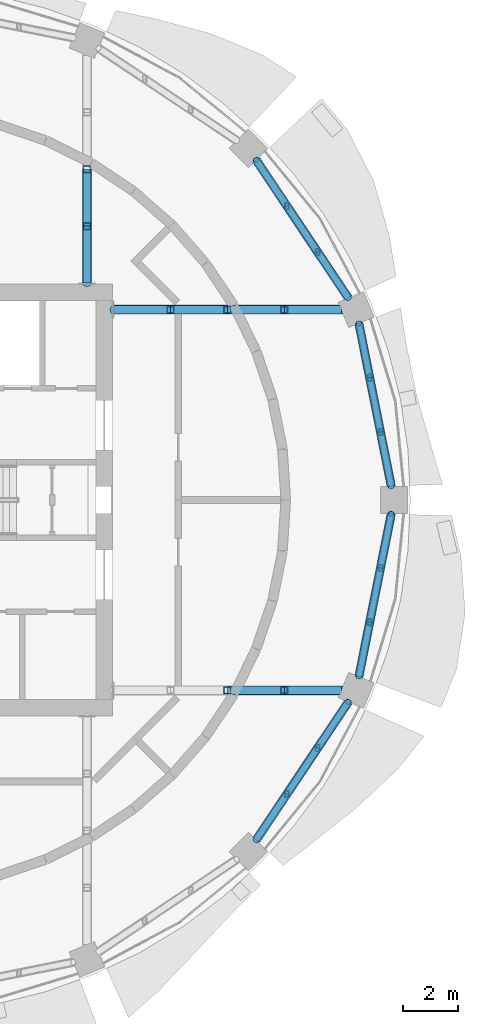
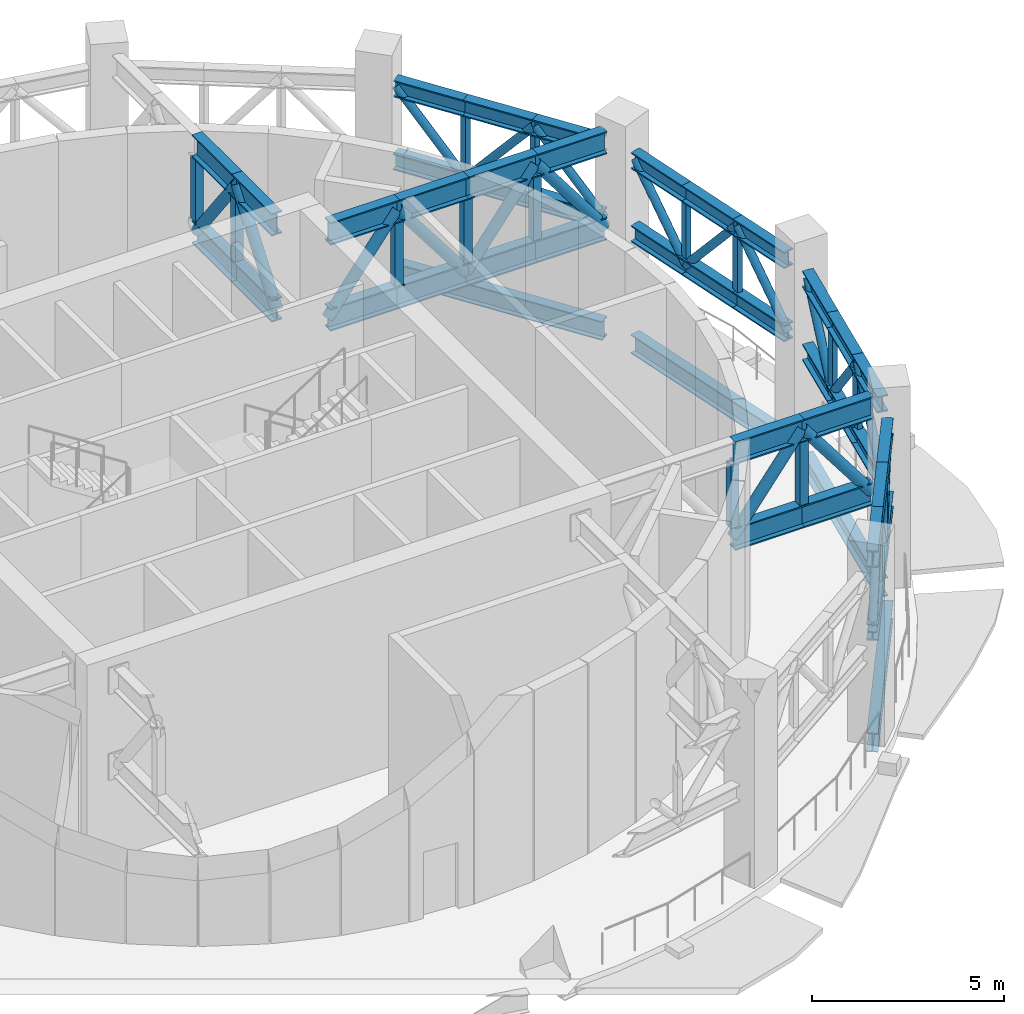
# One storey, part 5 of 14: 75 members, 4 beams.
"""IFC4 building model written with IfcOpenShell, lengths in metres."""

from ifc_helpers import new_model, si_unit, direction, frame, origin, origin_2d, place, context, subcontext, project, spatial, hollow_rectangle, hollow_circle, i_section, extrude, material, material_profile, profile_set, type_object, element, save


model = new_model("IFC4")

# Units and contexts
model_context = context("Model", 3, precision=1e-05, world=origin(), true_north=direction((0.0, 1.0)))
body_context = subcontext(model_context, "Body", "Model", "MODEL_VIEW")
ifc_project = project(units=[si_unit("LENGTHUNIT", "METRE"), si_unit("AREAUNIT", "SQUARE_METRE"), si_unit("VOLUMEUNIT", "CUBIC_METRE"), si_unit("PLANEANGLEUNIT", "RADIAN"), si_unit("MASSUNIT", "GRAM", prefix="KILO")], contexts=[model_context])

# Site, building, storey
site_placement = place(None, origin())
site = spatial("IfcSite", under=ifc_project, at=site_placement, CompositionType="ELEMENT")
building_placement = place(site_placement, origin())
building = spatial("IfcBuilding", under=site, at=building_placement, Name="Polderwave Tower", CompositionType="ELEMENT")
storey_placement = place(building_placement, frame((0.0, 0.0, 161.14990234375)))
storey = spatial("IfcBuildingStorey", under=building, at=storey_placement, Name="L43", CompositionType="ELEMENT", Elevation=161.14990234375)

# Members
ifc_material_1 = material(Name="Steel S460", Category="steel")
ifc_material_profile_1 = material_profile(ifc_material_1, i_section(OverallWidth=0.305908203125, OverallDepth=0.52392578125, WebThickness=0.02099609375, FlangeThickness=0.0400390625, at=origin_2d()), Name="HE 500 M")
ifc_profile_set_1 = profile_set([ifc_material_profile_1], Name="Steel S460")
member_type_1 = type_object("IfcMemberType", Name="BELT CHORD HE 500 M", PredefinedType="CHORD", material=ifc_profile_set_1)
for number, where, z_axis, x_axis, name in (
    (1, (18.050537109375, 0.5, 5.18798828125), (-0.195116982358, 0.980779976955, 0.0), (-0.980779976955, -0.195116982358, 0.0), "ST-BT-L43-00-TC1"),
    (2, (18.050537109375, 0.5, 2.862060546875), (-0.195116982358, 0.980779976955, 0.0), (-0.980779976955, -0.195116982358, 0.0), "ST-BT-L43-00-BC1"),
    (3, (17.65625, 2.48193359375, 5.18798828125), (-0.195000762302, 0.980803090687, 0.0), (-0.980803090687, -0.195000762302, 0.0), "ST-BT-L43-00-TC2"),
    (4, (17.65625, 2.48193359375, 2.862060546875), (-0.195000762302, 0.980803090687, 0.0), (-0.980803090687, -0.195000762302, 0.0), "ST-BT-L43-00-BC2"),
    (5, (17.26220703125, 4.4638671875, 5.18798828125), (-0.195116982358, 0.980779976955, 0.0), (-0.980779976955, -0.195116982358, 0.0), "ST-BT-L43-00-TC3"),
    (6, (17.26220703125, 4.4638671875, 2.862060546875), (-0.195116982358, 0.980779976955, 0.0), (-0.980779976955, -0.195116982358, 0.0), "ST-BT-L43-00-BC3"),
    (7, (16.485107421875, 7.36962890625, 5.18798828125), (-0.555536371135, 0.831492237093, 0.0), (-0.831492237093, -0.555536371135, 0.0), "ST-BT-L43-01-TC1"),
    (8, (16.485107421875, 7.36962890625, 2.862060546875), (-0.555536371135, 0.831492237093, 0.0), (-0.831492237093, -0.555536371135, 0.0), "ST-BT-L43-01-BC1"),
    (9, (15.362548828125, 9.0498046875, 5.18798828125), (-0.555536371135, 0.831492237093, 0.0), (-0.831492237093, -0.555536371135, 0.0), "ST-BT-L43-01-TC2"),
    (10, (15.362548828125, 9.0498046875, 2.862060546875), (-0.555536371135, 0.831492237093, 0.0), (-0.831492237093, -0.555536371135, 0.0), "ST-BT-L43-01-BC2"),
    (11, (14.239990234375, 10.72998046875, 5.18798828125), (-0.555619896081, 0.83143642636, 0.0), (-0.83143642636, -0.555619896081, 0.0), "ST-BT-L43-01-TC3"),
    (12, (14.239990234375, 10.72998046875, 2.862060546875), (-0.555619896081, 0.83143642636, 0.0), (-0.83143642636, -0.555619896081, 0.0), "ST-BT-L43-01-BC3"),
    (13, (13.1171875, -12.41015625, 5.18798828125), (0.555619896081, 0.83143642636, 0.0), (-0.83143642636, 0.555619896081, 0.0), "ST-BT-L43-14-TC1"),
    (14, (13.1171875, -12.41015625, 2.862060546875), (0.555619896081, 0.83143642636, 0.0), (-0.83143642636, 0.555619896081, 0.0), "ST-BT-L43-14-BC1"),
    (15, (14.239990234375, -10.72998046875, 5.18798828125), (0.555536371135, 0.831492237093, 0.0), (-0.831492237093, 0.555536371135, 0.0), "ST-BT-L43-14-TC2"),
    (16, (14.239990234375, -10.72998046875, 2.862060546875), (0.555536371135, 0.831492237093, 0.0), (-0.831492237093, 0.555536371135, 0.0), "ST-BT-L43-14-BC2"),
    (17, (15.362548828125, -9.0498046875, 5.18798828125), (0.555536371135, 0.831492237093, 0.0), (-0.831492237093, 0.555536371135, 0.0), "ST-BT-L43-14-TC3"),
    (18, (15.362548828125, -9.0498046875, 2.862060546875), (0.555536371135, 0.831492237093, 0.0), (-0.831492237093, 0.555536371135, 0.0), "ST-BT-L43-14-BC3"),
    (19, (16.867919921875, -6.44580078125, 5.18798828125), (0.195116982358, 0.980779976955, 0.0), (-0.980779976955, 0.195116982358, 0.0), "ST-BT-L43-15-TC1"),
    (20, (16.867919921875, -6.44580078125, 2.862060546875), (0.195116982358, 0.980779976955, 0.0), (-0.980779976955, 0.195116982358, 0.0), "ST-BT-L43-15-BC1"),
    (21, (17.26220703125, -4.4638671875, 5.18798828125), (0.195000762302, 0.980803090687, 0.0), (-0.980803090687, 0.195000762302, 0.0), "ST-BT-L43-15-TC2"),
    (22, (17.26220703125, -4.4638671875, 2.862060546875), (0.195000762302, 0.980803090687, 0.0), (-0.980803090687, 0.195000762302, 0.0), "ST-BT-L43-15-BC2"),
    (23, (17.65625, -2.48193359375, 5.18798828125), (0.195116982358, 0.980779976955, 0.0), (-0.980779976955, 0.195116982358, 0.0), "ST-BT-L43-15-TC3"),
    (24, (17.65625, -2.48193359375, 2.862060546875), (0.195116982358, 0.980779976955, 0.0), (-0.980779976955, 0.195116982358, 0.0), "ST-BT-L43-15-BC3"),
):
    element("IfcMember", number, at=place(storey_placement, frame(where, z_axis=z_axis, x_axis=x_axis)), inside=storey, type_object=member_type_1, Name=name, PredefinedType="CHORD", context=body_context, shape_type="SweptSolid", body=[
        extrude(i_section(OverallWidth=0.305908203125, OverallDepth=0.52392578125, WebThickness=0.02099609375, FlangeThickness=0.0400390625, at=origin_2d()), origin(), (0.0, 0.0, 1.0), 2.020751953125),
    ])
ifc_material_profile_2 = material_profile(ifc_material_1, hollow_circle(Radius=0.122314453125, WallThickness=0.010009765625, at=origin_2d()), Name="CHS 244.5x10")
ifc_profile_set_2 = profile_set([ifc_material_profile_2], Name="Steel S460")
member_type_2 = type_object("IfcMemberType", Name="BELT DIAGONAL CHS 244.5x10", PredefinedType="BRACE", material=ifc_profile_set_2)
for number, where, z_axis, x_axis, name in (
    (25, (18.050537109375, 0.5, 2.862060546875), (-0.127967666159, 0.643245519431, 0.754890374922), (-0.980779976955, -0.195116982358, 0.0), "ST-BT-L43-00-D1"),
    (26, (17.65625, 2.48193359375, 5.18798828125), (-0.127889725591, 0.64325203987, -0.754898027081), (-0.980803090687, -0.195000762302, 0.0), "ST-BT-L43-00-D2"),
    (27, (17.26220703125, 4.4638671875, 2.862060546875), (-0.127967666159, 0.643245519431, 0.754890374922), (-0.980779976955, -0.195116982358, 0.0), "ST-BT-L43-00-D3"),
    (28, (16.485107421875, 7.36962890625, 2.862060546875), (-0.364339045914, 0.545319989991, 0.754906065772), (-0.831492237093, -0.555536371135, 0.0), "ST-BT-L43-01-D1"),
    (29, (15.362548828125, 9.0498046875, 5.18798828125), (-0.364339045914, 0.545319989991, -0.754906065772), (-0.831492237093, -0.555536371135, 0.0), "ST-BT-L43-01-D2"),
    (30, (14.239990234375, 10.72998046875, 2.862060546875), (-0.364407763166, 0.545304245729, 0.754884270424), (-0.83143642636, -0.555619896081, 0.0), "ST-BT-L43-01-D3"),
    (31, (13.1171875, -12.41015625, 2.862060546875), (0.364407763166, 0.545304245729, 0.754884270424), (-0.83143642636, 0.555619896081, 0.0), "ST-BT-L43-14-D1"),
    (32, (14.239990234375, -10.72998046875, 5.18798828125), (0.364339045914, 0.545319989991, -0.754906065772), (-0.831492237093, 0.555536371135, 0.0), "ST-BT-L43-14-D2"),
    (33, (15.362548828125, -9.0498046875, 2.862060546875), (0.364339045914, 0.545319989991, 0.754906065772), (-0.831492237093, 0.555536371135, 0.0), "ST-BT-L43-14-D3"),
    (34, (16.867919921875, -6.44580078125, 2.862060546875), (0.127967666159, 0.643245519431, 0.754890374922), (-0.980779976955, 0.195116982358, 0.0), "ST-BT-L43-15-D1"),
    (35, (17.26220703125, -4.4638671875, 5.18798828125), (0.127889725591, 0.64325203987, -0.754898027081), (-0.980803090687, 0.195000762302, 0.0), "ST-BT-L43-15-D2"),
    (36, (17.65625, -2.48193359375, 2.862060546875), (0.127967666159, 0.643245519431, 0.754890374922), (-0.980779976955, 0.195116982358, 0.0), "ST-BT-L43-15-D3"),
):
    element("IfcMember", number, at=place(storey_placement, frame(where, z_axis=z_axis, x_axis=x_axis)), inside=storey, type_object=member_type_2, Name=name, PredefinedType="BRACE", context=body_context, shape_type="SweptSolid", body=[
        extrude(hollow_circle(Radius=0.122314453125, WallThickness=0.010009765625, at=origin_2d()), origin(), (0.0, 0.0, 1.0), 3.0810546875),
    ])
ifc_material_profile_3 = material_profile(ifc_material_1, hollow_rectangle(XDim=0.14990234375, YDim=0.25, WallThickness=0.010009765625, at=origin_2d()), Name="RHS 250x150x10")
ifc_profile_set_3 = profile_set([ifc_material_profile_3], Name="Steel S460")
member_type_3 = type_object("IfcMemberType", Name="BELT POST RHS 250x150x10", PredefinedType="POST", material=ifc_profile_set_3)
for number, where, z_axis, x_axis, name in (
    (37, (17.65625, 2.48193359375, 3.1240234375), (0.0, 0.0, 1.0), (1.0, 0.0, 0.0), "ST-BT-L43-00-P1"),
    (38, (17.26220703125, 4.4638671875, 3.1240234375), (0.0, 0.0, 1.0), (1.0, 0.0, 0.0), "ST-BT-L43-00-P2"),
    (39, (15.362548828125, 9.0498046875, 3.1240234375), (0.0, 0.0, 1.0), (1.0, 0.0, 0.0), "ST-BT-L43-01-P1"),
    (40, (14.239990234375, 10.72998046875, 3.1240234375), (0.0, 0.0, 1.0), (1.0, 0.0, 0.0), "ST-BT-L43-01-P2"),
    (41, (14.239990234375, -10.72998046875, 3.1240234375), (0.0, 0.0, 1.0), (1.0, 0.0, 0.0), "ST-BT-L43-14-P1"),
    (42, (15.362548828125, -9.0498046875, 3.1240234375), (0.0, 0.0, 1.0), (1.0, 0.0, 0.0), "ST-BT-L43-14-P2"),
    (43, (17.26220703125, -4.4638671875, 3.1240234375), (0.0, 0.0, 1.0), (1.0, 0.0, 0.0), "ST-BT-L43-15-P1"),
    (44, (17.65625, -2.48193359375, 3.1240234375), (0.0, 0.0, 1.0), (1.0, 0.0, 0.0), "ST-BT-L43-15-P2"),
):
    element("IfcMember", number, at=place(storey_placement, frame(where, z_axis=z_axis, x_axis=x_axis)), inside=storey, type_object=member_type_3, Name=name, PredefinedType="POST", context=body_context, shape_type="SweptSolid", body=[
        extrude(hollow_rectangle(XDim=0.14990234375, YDim=0.25, WallThickness=0.010009765625, at=origin_2d()), origin(), (0.0, 0.0, 1.0), 1.802001953125),
    ])
ifc_material_profile_4 = material_profile(ifc_material_1, i_section(OverallWidth=0.303955078125, OverallDepth=0.716064453125, WebThickness=0.02099609375, FlangeThickness=0.0400390625, at=origin_2d()), Name="HE 700 M")
ifc_profile_set_4 = profile_set([ifc_material_profile_4], Name="Steel S460")
member_type_4 = type_object("IfcMemberType", Name="OUTRIGGER CHORD HE 700 M", PredefinedType="CHORD", material=ifc_profile_set_4)
for number, where, z_axis, x_axis, name in (
    (45, (7.9140625, 6.94580078125, 5.692138671875), (1.0, 0.0, 0.0), (0.0, 1.0, 0.0), "ST-OR-L43-01-TC1"),
    (46, (7.9140625, 6.94580078125, 2.9580078125), (1.0, 0.0, 0.0), (0.0, 1.0, 0.0), "ST-OR-L43-01-BC1"),
):
    element("IfcMember", number, at=place(storey_placement, frame(where, z_axis=z_axis, x_axis=x_axis)), inside=storey, type_object=member_type_4, Name=name, PredefinedType="CHORD", context=body_context, shape_type="SweptSolid", body=[
        extrude(i_section(OverallWidth=0.303955078125, OverallDepth=0.716064453125, WebThickness=0.02099609375, FlangeThickness=0.0400390625, at=origin_2d()), origin(), (0.0, 0.0, 1.0), 2.078125),
    ])
for number, where, z_axis, x_axis, name in (
    (47, (9.9921875, 6.94580078125, 5.692138671875), (1.0, 0.0, 0.0), (0.0, 1.0, 0.0), "ST-OR-L43-01-TC2"),
    (48, (9.9921875, 6.94580078125, 2.9580078125), (1.0, 0.0, 0.0), (0.0, 1.0, 0.0), "ST-OR-L43-01-BC2"),
    (49, (12.070556640625, 6.94580078125, 5.692138671875), (1.0, 0.0, 0.0), (0.0, 1.0, 0.0), "ST-OR-L43-01-TC3"),
    (50, (12.070556640625, 6.94580078125, 2.9580078125), (1.0, 0.0, 0.0), (0.0, 1.0, 0.0), "ST-OR-L43-01-BC3"),
    (51, (14.14892578125, 6.94580078125, 5.692138671875), (1.0, 0.0, 0.0), (0.0, 1.0, 0.0), "ST-OR-L43-01-TC4"),
    (52, (14.14892578125, 6.94580078125, 2.9580078125), (1.0, 0.0, 0.0), (0.0, 1.0, 0.0), "ST-OR-L43-01-BC4"),
):
    element("IfcMember", number, at=place(storey_placement, frame(where, z_axis=z_axis, x_axis=x_axis)), inside=storey, type_object=member_type_4, Name=name, PredefinedType="CHORD", context=body_context, shape_type="SweptSolid", body=[
        extrude(i_section(OverallWidth=0.303955078125, OverallDepth=0.716064453125, WebThickness=0.02099609375, FlangeThickness=0.0400390625, at=origin_2d()), origin(), (0.0, 0.0, 1.0), 2.078369140625),
    ])
for number, where, z_axis, x_axis, name in (
    (53, (6.94580078125, 7.9140625, 5.692138671875), (0.0, 1.0, 0.0), (-1.0, 0.0, 0.0), "ST-OR-L43-03-TC1"),
    (54, (6.94580078125, 7.9140625, 2.9580078125), (0.0, 1.0, 0.0), (-1.0, 0.0, 0.0), "ST-OR-L43-03-BC1"),
):
    element("IfcMember", number, at=place(storey_placement, frame(where, z_axis=z_axis, x_axis=x_axis)), inside=storey, type_object=member_type_4, Name=name, PredefinedType="CHORD", context=body_context, shape_type="SweptSolid", body=[
        extrude(i_section(OverallWidth=0.303955078125, OverallDepth=0.716064453125, WebThickness=0.02099609375, FlangeThickness=0.0400390625, at=origin_2d()), origin(), (0.0, 0.0, 1.0), 2.078125),
    ])
for number, where, z_axis, x_axis, name in (
    (55, (6.94580078125, 9.9921875, 5.692138671875), (0.0, 1.0, 0.0), (-1.0, 0.0, 0.0), "ST-OR-L43-03-TC2"),
    (56, (6.94580078125, 9.9921875, 2.9580078125), (0.0, 1.0, 0.0), (-1.0, 0.0, 0.0), "ST-OR-L43-03-BC2"),
    (57, (12.070556640625, -6.94580078125, 5.692138671875), (1.0, 0.0, 0.0), (0.0, 1.0, 0.0), "ST-OR-L43-15-TC3"),
    (58, (12.070556640625, -6.94580078125, 2.9580078125), (1.0, 0.0, 0.0), (0.0, 1.0, 0.0), "ST-OR-L43-15-BC3"),
    (59, (14.14892578125, -6.94580078125, 5.692138671875), (1.0, 0.0, 0.0), (0.0, 1.0, 0.0), "ST-OR-L43-15-TC4"),
    (60, (14.14892578125, -6.94580078125, 2.9580078125), (1.0, 0.0, 0.0), (0.0, 1.0, 0.0), "ST-OR-L43-15-BC4"),
):
    element("IfcMember", number, at=place(storey_placement, frame(where, z_axis=z_axis, x_axis=x_axis)), inside=storey, type_object=member_type_4, Name=name, PredefinedType="CHORD", context=body_context, shape_type="SweptSolid", body=[
        extrude(i_section(OverallWidth=0.303955078125, OverallDepth=0.716064453125, WebThickness=0.02099609375, FlangeThickness=0.0400390625, at=origin_2d()), origin(), (0.0, 0.0, 1.0), 2.078369140625),
    ])
ifc_material_profile_5 = material_profile(ifc_material_1, hollow_circle(Radius=0.161865234375, WallThickness=0.012451171875, at=origin_2d()), Name="CHS 323.9x12.5")
ifc_profile_set_5 = profile_set([ifc_material_profile_5], Name="Steel S460")
member_type_5 = type_object("IfcMemberType", Name="OUTRIGGER DIAGONAL CHS 323.9x12.5", PredefinedType="BRACE", material=ifc_profile_set_5)
for number, where, z_axis, x_axis, name in (
    (61, (7.9140625, 6.94580078125, 2.9580078125), (0.605117514153, 0.0, 0.796136165531), (0.0, 1.0, 0.0), "ST-OR-L43-01-D1"),
    (62, (9.9921875, 6.94580078125, 5.692138671875), (0.605162570376, 0.0, -0.796101917731), (0.0, 1.0, 0.0), "ST-OR-L43-01-D2"),
    (63, (12.070556640625, 6.94580078125, 2.9580078125), (0.605162570376, 0.0, 0.796101917731), (0.0, 1.0, 0.0), "ST-OR-L43-01-D3"),
    (64, (14.14892578125, 6.94580078125, 5.692138671875), (0.605162570376, 0.0, -0.796101917731), (0.0, 1.0, 0.0), "ST-OR-L43-01-D4"),
    (65, (6.94580078125, 7.9140625, 2.9580078125), (0.0, 0.605117514153, 0.796136165531), (-1.0, 0.0, 0.0), "ST-OR-L43-03-D1"),
    (66, (6.94580078125, 9.9921875, 5.692138671875), (0.0, 0.605162570376, -0.796101917731), (-1.0, 0.0, 0.0), "ST-OR-L43-03-D2"),
    (67, (12.070556640625, -6.94580078125, 2.9580078125), (0.605162570376, 0.0, 0.796101917731), (0.0, 1.0, 0.0), "ST-OR-L43-15-D3"),
    (68, (14.14892578125, -6.94580078125, 5.692138671875), (0.605162570376, 0.0, -0.796101917731), (0.0, 1.0, 0.0), "ST-OR-L43-15-D4"),
):
    element("IfcMember", number, at=place(storey_placement, frame(where, z_axis=z_axis, x_axis=x_axis)), inside=storey, type_object=member_type_5, Name=name, PredefinedType="BRACE", context=body_context, shape_type="SweptSolid", body=[
        extrude(hollow_circle(Radius=0.161865234375, WallThickness=0.012451171875, at=origin_2d()), origin(), (0.0, 0.0, 1.0), 3.434326171875),
    ])
ifc_material_profile_6 = material_profile(ifc_material_1, hollow_rectangle(XDim=0.25, YDim=0.25, WallThickness=0.012451171875, at=origin_2d()), Name="SHS 250x250x12.5")
ifc_profile_set_6 = profile_set([ifc_material_profile_6], Name="Steel S460")
member_type_6 = type_object("IfcMemberType", Name="OUTRIGGER POST SHS 250x250x12.5", PredefinedType="POST", material=ifc_profile_set_6)
for number, where, z_axis, x_axis, name in (
    (69, (9.9921875, 6.94580078125, 3.316162109375), (0.0, 0.0, 1.0), (1.0, 0.0, 0.0), "ST-OR-L43-01-P1"),
    (70, (12.070556640625, 6.94580078125, 3.316162109375), (0.0, 0.0, 1.0), (1.0, 0.0, 0.0), "ST-OR-L43-01-P2"),
    (71, (14.14892578125, 6.94580078125, 3.316162109375), (0.0, 0.0, 1.0), (1.0, 0.0, 0.0), "ST-OR-L43-01-P3"),
    (72, (6.94580078125, 9.9921875, 3.316162109375), (0.0, 0.0, 1.0), (1.0, 0.0, 0.0), "ST-OR-L43-03-P1"),
    (73, (6.94580078125, 12.070556640625, 3.316162109375), (0.0, 0.0, 1.0), (1.0, 0.0, 0.0), "ST-OR-L43-03-P2"),
    (74, (12.070556640625, -6.94580078125, 3.316162109375), (0.0, 0.0, 1.0), (1.0, 0.0, 0.0), "ST-OR-L43-15-P2"),
    (75, (14.14892578125, -6.94580078125, 3.316162109375), (0.0, 0.0, 1.0), (1.0, 0.0, 0.0), "ST-OR-L43-15-P3"),
):
    element("IfcMember", number, at=place(storey_placement, frame(where, z_axis=z_axis, x_axis=x_axis)), inside=storey, type_object=member_type_6, Name=name, PredefinedType="POST", context=body_context, shape_type="SweptSolid", body=[
        extrude(hollow_rectangle(XDim=0.25, YDim=0.25, WallThickness=0.012451171875, at=origin_2d()), origin(), (0.0, 0.0, 1.0), 2.017822265625),
    ])

# Beams
ifc_material_2 = material(Name="Steel S355", Category="steel")
ifc_material_profile_7 = material_profile(ifc_material_2, i_section(OverallWidth=0.300048828125, OverallDepth=0.60009765625, WebThickness=0.015380859375, FlangeThickness=0.030029296875, at=origin_2d()), Name="HE 600 B")
ifc_profile_set_7 = profile_set([ifc_material_profile_7], Name="Steel S355")
beam_type = type_object("IfcBeamType", Name="RING BEAM HE 600 B", PredefinedType="BEAM", material=ifc_profile_set_7)
for number, where, z_axis, x_axis, name in (
    (76, (18.050537109375, 0.5, -0.64990234375), (-0.195078243252, 0.980787682941, 0.0), (-0.980787682941, -0.195078243252, 0.0), "ST-RB-L43-00"),
    (77, (16.485107421875, 7.36962890625, -0.64990234375), (-0.555564214653, 0.831473633615, 0.0), (-0.831473633615, -0.555564214653, 0.0), "ST-RB-L43-01"),
    (78, (13.1171875, -12.41015625, -0.64990234375), (0.555564214653, 0.831473633615, 0.0), (-0.831473633615, 0.555564214653, 0.0), "ST-RB-L43-14"),
    (79, (16.867919921875, -6.44580078125, -0.64990234375), (0.195078243252, 0.980787682941, 0.0), (-0.980787682941, 0.195078243252, 0.0), "ST-RB-L43-15"),
):
    element("IfcBeam", number, at=place(storey_placement, frame(where, z_axis=z_axis, x_axis=x_axis)), inside=storey, type_object=beam_type, Name=name, PredefinedType="BEAM", context=body_context, shape_type="SweptSolid", body=[
        extrude(i_section(OverallWidth=0.300048828125, OverallDepth=0.60009765625, WebThickness=0.015380859375, FlangeThickness=0.030029296875, at=origin_2d()), origin(), (0.0, 0.0, 1.0), 6.062255859375),
    ])

save(model, "model.ifc")
